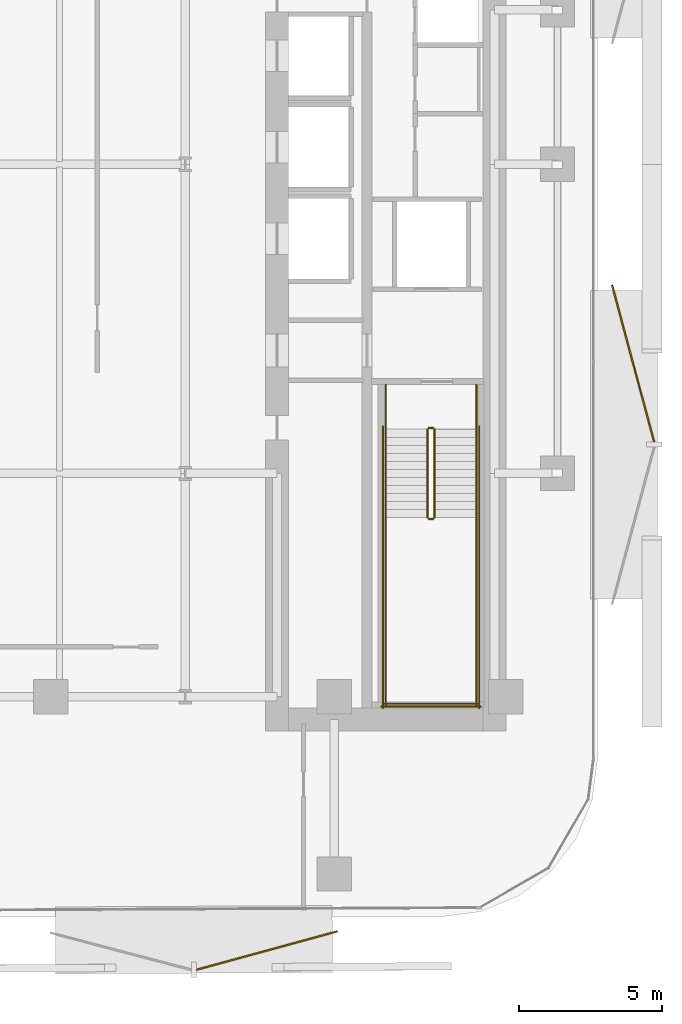
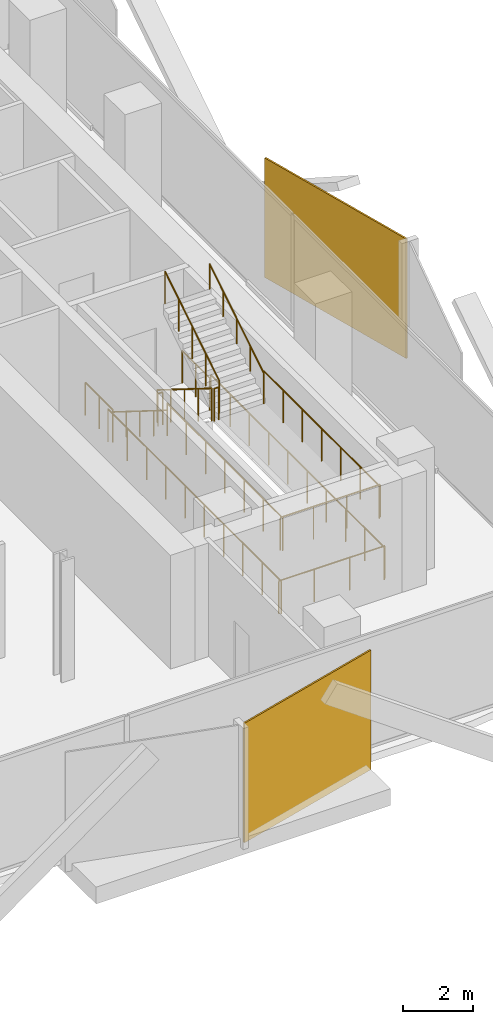
# One storey, part 13 of 15: 14 railings, 2 coverings.
"""IFC4 building model written with IfcOpenShell, lengths in metres."""

from ifc_helpers import new_model, si_unit, direction, frame, origin, origin_2d, place, context, subcontext, project, spatial, rectangle, circle, extrude, material, layer, layer_set, type_object, element, save


model = new_model("IFC4")

# Units and contexts
model_context = context("Model", 3, precision=1e-05, world=origin(), true_north=direction((0.0, 1.0)))
body_context = subcontext(model_context, "Body", "Model", "MODEL_VIEW")
ifc_project = project(units=[si_unit("LENGTHUNIT", "METRE"), si_unit("AREAUNIT", "SQUARE_METRE"), si_unit("VOLUMEUNIT", "CUBIC_METRE"), si_unit("PLANEANGLEUNIT", "RADIAN"), si_unit("MASSUNIT", "GRAM", prefix="KILO")], contexts=[model_context])

# Site, building, storey
site_placement = place(None, origin())
site = spatial("IfcSite", under=ifc_project, at=site_placement, CompositionType="ELEMENT")
building_placement = place(site_placement, origin())
building = spatial("IfcBuilding", under=site, at=building_placement, Name="Khairoan Windgate Tower", CompositionType="ELEMENT")
storey_placement = place(building_placement, frame((0.0, 0.0, 143.60009765625)))
storey = spatial("IfcBuildingStorey", under=building, at=storey_placement, Name="L33", CompositionType="ELEMENT", Elevation=143.60009765625)

# Coverings
ifc_material_1 = material(Name="Anodised Bronze Aluminium 6063-T6", Category="aluminium")
ifc_layer = layer(ifc_material_1, 0.054931640625, Name="Anodised Bronze Aluminium 6063-T6")
ifc_layer_set = layer_set([ifc_layer], Name="Anodised Bronze Aluminium 6063-T6")
covering_type = type_object("IfcCoveringType", Name="Perforated Bronze-Ceramic Folded Solar Screen Cladding BSC-1", PredefinedType="CLADDING", material=ifc_layer_set)
covering_1_placement = place(storey_placement, frame((12.05322265625, -27.472412109375, -0.10009765625), z_axis=(0.0, 0.0, 1.0), x_axis=(-0.964649468762, -0.263536339841, 0.0)))
element("IfcCovering", 1, at=covering_1_placement, inside=storey, type_object=covering_type, Name="L33 Folded Bronze Solar Screen Facet 209L", PredefinedType="CLADDING", context=body_context, shape_type="SweptSolid", body=[
    extrude(rectangle(XDim=5.10107421875, YDim=0.054931640625, at=origin_2d()), origin(), (0.0, 0.0, 1.0), 4.139892578125),
])
covering_2_placement = place(storey_placement, frame((24.8447265625, -6.961669921875, -0.10009765625), z_axis=(0.0, 0.0, 1.0), x_axis=(0.258819045103, -0.965925826289, 0.0)))
element("IfcCovering", 2, at=covering_2_placement, inside=storey, type_object=covering_type, Name="L33 Folded Bronze Solar Screen Facet 216L", PredefinedType="CLADDING", context=body_context, shape_type="SweptSolid", body=[
    extrude(rectangle(XDim=5.680908203125, YDim=0.054931640625, at=origin_2d()), origin(), (0.0, 0.0, 1.0), 4.139892578125),
])

# Railings
ifc_material_2 = material(Name="Anodised Bronze Aluminium 6063-T6", Category="aluminium")
railing_type_1 = type_object("IfcRailingType", Name="Stair Wall Handrail SHR-900", PredefinedType="HANDRAIL", material=ifc_material_2)
railing_1_placement = place(storey_placement, frame((16.199951171875, -9.260009765625, 0.1748046875)))
element("IfcRailing", 3, at=railing_1_placement, inside=storey, type_object=railing_type_1, Name="L33 ST1 stair handrail 1", PredefinedType="HANDRAIL", context=body_context, shape_type="SweptSolid", body=[
    extrude(circle(Radius=0.02392578125, at=origin_2d()), frame((0.0, 0.0, 0.8759765625), z_axis=(0.0, -0.847998304005, 0.529998940003), x_axis=(1.0, 0.0, 0.0)), (0.0, 0.0, 1.0), 3.632080078125),
    extrude(circle(Radius=0.02099609375, at=origin_2d()), origin(), (0.0, 0.0, 1.0), 0.851806640625),
    extrude(circle(Radius=0.02099609375, at=origin_2d()), frame((0.0, -0.77001953125, 0.481201171875)), (0.0, 0.0, 1.0), 0.851806640625),
    extrude(circle(Radius=0.02099609375, at=origin_2d()), frame((0.0, -1.5400390625, 0.96240234375)), (0.0, 0.0, 1.0), 0.851806640625),
    extrude(circle(Radius=0.02099609375, at=origin_2d()), frame((0.0, -2.31005859375, 1.44384765625)), (0.0, 0.0, 1.0), 0.851806640625),
    extrude(circle(Radius=0.02099609375, at=origin_2d()), frame((0.0, -3.080078125, 1.925048828125)), (0.0, 0.0, 1.0), 0.851806640625),
])
railing_2_placement = place(storey_placement, frame((19.3701171875, -12.340087890625, 2.27490234375)))
element("IfcRailing", 4, at=railing_2_placement, inside=storey, type_object=railing_type_1, Name="L33 ST1 stair handrail 2", PredefinedType="HANDRAIL", context=body_context, shape_type="SweptSolid", body=[
    extrude(circle(Radius=0.02392578125, at=origin_2d()), frame((0.0, 0.0, 0.8759765625), z_axis=(0.0, 0.847998304005, 0.529998940003), x_axis=(-1.0, 0.0, 0.0)), (0.0, 0.0, 1.0), 3.632080078125),
    extrude(circle(Radius=0.02099609375, at=origin_2d()), origin(), (0.0, 0.0, 1.0), 0.851806640625),
    extrude(circle(Radius=0.02099609375, at=origin_2d()), frame((0.0, 0.77001953125, 0.481201171875)), (0.0, 0.0, 1.0), 0.851806640625),
    extrude(circle(Radius=0.02099609375, at=origin_2d()), frame((0.0, 1.5400390625, 0.96240234375)), (0.0, 0.0, 1.0), 0.851806640625),
    extrude(circle(Radius=0.02099609375, at=origin_2d()), frame((0.0, 2.31005859375, 1.44384765625)), (0.0, 0.0, 1.0), 0.851806640625),
    extrude(circle(Radius=0.02099609375, at=origin_2d()), frame((0.0, 3.080078125, 1.925048828125)), (0.0, 0.0, 1.0), 0.851806640625),
])
ifc_material_3 = material(Name="Steel S355", Category="steel")
railing_type_2 = type_object("IfcRailingType", Name="Stairwell Safety Guardrail SGR-1150", PredefinedType="GUARDRAIL", material=ifc_material_3)
railing_3_placement = place(storey_placement, frame((17.659912109375, -9.260009765625, 0.1748046875)))
element("IfcRailing", 5, at=railing_3_placement, inside=storey, type_object=railing_type_2, Name="L33 ST1 stair guard 1", PredefinedType="GUARDRAIL", context=body_context, shape_type="SweptSolid", body=[
    extrude(circle(Radius=0.02392578125, at=origin_2d()), frame((0.0, 0.0, 1.1259765625), z_axis=(0.0, -0.847998304005, 0.529998940003), x_axis=(1.0, 0.0, 0.0)), (0.0, 0.0, 1.0), 3.632080078125),
    extrude(circle(Radius=0.02099609375, at=origin_2d()), origin(), (0.0, 0.0, 1.0), 1.101806640625),
    extrude(circle(Radius=0.02099609375, at=origin_2d()), frame((0.0, -0.77001953125, 0.481201171875)), (0.0, 0.0, 1.0), 1.101806640625),
    extrude(circle(Radius=0.02099609375, at=origin_2d()), frame((0.0, -1.5400390625, 0.96240234375)), (0.0, 0.0, 1.0), 1.101806640625),
    extrude(circle(Radius=0.02099609375, at=origin_2d()), frame((0.0, -2.31005859375, 1.44384765625)), (0.0, 0.0, 1.0), 1.101806640625),
    extrude(circle(Radius=0.02099609375, at=origin_2d()), frame((0.0, -3.080078125, 1.925048828125)), (0.0, 0.0, 1.0), 1.101806640625),
])
railing_4_placement = place(storey_placement, frame((17.7099609375, -12.389892578125, 2.099853515625)))
element("IfcRailing", 6, at=railing_4_placement, inside=storey, type_object=railing_type_2, Name="L33 ST1 stair guard 2", PredefinedType="GUARDRAIL", context=body_context, shape_type="SweptSolid", body=[
    extrude(circle(Radius=0.02392578125, at=origin_2d()), frame((0.0, 0.0, 1.1259765625), z_axis=(1.0, 0.0, 0.0), x_axis=(0.0, 1.0, 0.0)), (0.0, 0.0, 1.0), 0.150146484375),
    extrude(circle(Radius=0.02099609375, at=origin_2d()), origin(), (0.0, 0.0, 1.0), 1.101806640625),
    extrude(circle(Radius=0.02099609375, at=origin_2d()), frame((0.150146484375, 0.0, 0.0)), (0.0, 0.0, 1.0), 1.101806640625),
])
for number, where, name in (
    (7, (16.199951171875, -12.340087890625, 2.099853515625), "L33 ST1 stair guard 3"),
    (8, (19.3701171875, -12.340087890625, 2.099853515625), "L33 ST1 stair guard 4"),
):
    element("IfcRailing", number, at=place(storey_placement, frame(where)), inside=storey, type_object=railing_type_2, Name=name, PredefinedType="GUARDRAIL", context=body_context, shape_type="SweptSolid", body=[
        extrude(circle(Radius=0.02392578125, at=origin_2d()), frame((0.0, 0.0, 1.1259765625), z_axis=(0.0, -1.0, 0.0), x_axis=(1.0, 0.0, 0.0)), (0.0, 0.0, 1.0), 6.559814453125),
        extrude(circle(Radius=0.02099609375, at=origin_2d()), origin(), (0.0, 0.0, 1.0), 1.101806640625),
        extrude(circle(Radius=0.02099609375, at=origin_2d()), frame((0.0, -1.09326171875, 0.0)), (0.0, 0.0, 1.0), 1.101806640625),
        extrude(circle(Radius=0.02099609375, at=origin_2d()), frame((0.0, -2.1865234375, 0.0)), (0.0, 0.0, 1.0), 1.101806640625),
        extrude(circle(Radius=0.02099609375, at=origin_2d()), frame((0.0, -3.27978515625, 0.0)), (0.0, 0.0, 1.0), 1.101806640625),
        extrude(circle(Radius=0.02099609375, at=origin_2d()), frame((0.0, -4.373291015625, 0.0)), (0.0, 0.0, 1.0), 1.101806640625),
        extrude(circle(Radius=0.02099609375, at=origin_2d()), frame((0.0, -5.466552734375, 0.0)), (0.0, 0.0, 1.0), 1.101806640625),
        extrude(circle(Radius=0.02099609375, at=origin_2d()), frame((0.0, -6.559814453125, 0.0)), (0.0, 0.0, 1.0), 1.101806640625),
    ])
railing_5_placement = place(storey_placement, frame((16.14990234375, -18.85009765625, 2.099853515625)))
element("IfcRailing", 9, at=railing_5_placement, inside=storey, type_object=railing_type_2, Name="L33 ST1 stair guard 5", PredefinedType="GUARDRAIL", context=body_context, shape_type="SweptSolid", body=[
    extrude(circle(Radius=0.02392578125, at=origin_2d()), frame((0.0, 0.0, 1.1259765625), z_axis=(1.0, 0.0, 0.0), x_axis=(0.0, 1.0, 0.0)), (0.0, 0.0, 1.0), 3.27001953125),
    extrude(circle(Radius=0.02099609375, at=origin_2d()), origin(), (0.0, 0.0, 1.0), 1.101806640625),
    extrude(circle(Radius=0.02099609375, at=origin_2d()), frame((1.090087890625, 0.0, 0.0)), (0.0, 0.0, 1.0), 1.101806640625),
    extrude(circle(Radius=0.02099609375, at=origin_2d()), frame((2.179931640625, 0.0, 0.0)), (0.0, 0.0, 1.0), 1.101806640625),
    extrude(circle(Radius=0.02099609375, at=origin_2d()), frame((3.27001953125, 0.0, 0.0)), (0.0, 0.0, 1.0), 1.101806640625),
])
railing_6_placement = place(storey_placement, frame((17.909912109375, -12.340087890625, 2.27490234375)))
element("IfcRailing", 10, at=railing_6_placement, inside=storey, type_object=railing_type_2, Name="L33 ST1 stair guard 6", PredefinedType="GUARDRAIL", context=body_context, shape_type="SweptSolid", body=[
    extrude(circle(Radius=0.02392578125, at=origin_2d()), frame((0.0, 0.0, 1.1259765625), z_axis=(0.0, 0.847998304005, 0.529998940003), x_axis=(-1.0, 0.0, 0.0)), (0.0, 0.0, 1.0), 3.632080078125),
    extrude(circle(Radius=0.02099609375, at=origin_2d()), origin(), (0.0, 0.0, 1.0), 1.101806640625),
    extrude(circle(Radius=0.02099609375, at=origin_2d()), frame((0.0, 0.77001953125, 0.481201171875)), (0.0, 0.0, 1.0), 1.101806640625),
    extrude(circle(Radius=0.02099609375, at=origin_2d()), frame((0.0, 1.5400390625, 0.96240234375)), (0.0, 0.0, 1.0), 1.101806640625),
    extrude(circle(Radius=0.02099609375, at=origin_2d()), frame((0.0, 2.31005859375, 1.44384765625)), (0.0, 0.0, 1.0), 1.101806640625),
    extrude(circle(Radius=0.02099609375, at=origin_2d()), frame((0.0, 3.080078125, 1.925048828125)), (0.0, 0.0, 1.0), 1.101806640625),
])
railing_7_placement = place(storey_placement, frame((17.7099609375, -9.2099609375, 0.0)))
element("IfcRailing", 11, at=railing_7_placement, inside=storey, type_object=railing_type_2, Name="L33 ST1 stair guard 7", PredefinedType="GUARDRAIL", context=body_context, shape_type="SweptSolid", body=[
    extrude(circle(Radius=0.02392578125, at=origin_2d()), frame((0.0, 0.0, 1.1259765625), z_axis=(1.0, 0.0, 0.0), x_axis=(0.0, 1.0, 0.0)), (0.0, 0.0, 1.0), 0.150146484375),
    extrude(circle(Radius=0.02099609375, at=origin_2d()), origin(), (0.0, 0.0, 1.0), 1.101806640625),
    extrude(circle(Radius=0.02099609375, at=origin_2d()), frame((0.150146484375, 0.0, 0.0)), (0.0, 0.0, 1.0), 1.101806640625),
])
for number, where, name in (
    (12, (16.199951171875, -7.699951171875, 0.0), "L33 ST1 stair guard 8"),
    (13, (19.3701171875, -7.699951171875, 0.0), "L33 ST1 stair guard 9"),
):
    element("IfcRailing", number, at=place(storey_placement, frame(where)), inside=storey, type_object=railing_type_2, Name=name, PredefinedType="GUARDRAIL", context=body_context, shape_type="SweptSolid", body=[
        extrude(circle(Radius=0.02392578125, at=origin_2d()), frame((0.0, 0.0, 1.1259765625), z_axis=(0.0, -1.0, 0.0), x_axis=(1.0, 0.0, 0.0)), (0.0, 0.0, 1.0), 1.56005859375),
        extrude(circle(Radius=0.02099609375, at=origin_2d()), origin(), (0.0, 0.0, 1.0), 1.101806640625),
        extrude(circle(Radius=0.02099609375, at=origin_2d()), frame((0.0, -0.780029296875, 0.0)), (0.0, 0.0, 1.0), 1.101806640625),
        extrude(circle(Radius=0.02099609375, at=origin_2d()), frame((0.0, -1.56005859375, 0.0)), (0.0, 0.0, 1.0), 1.101806640625),
    ])
for number, where, name in (
    (14, (16.10009765625, -9.159912109375, 0.0), "L33 ST1 stair guard 10"),
    (15, (19.469970703125, -9.159912109375, 0.0), "L33 ST1 stair guard 11"),
):
    element("IfcRailing", number, at=place(storey_placement, frame(where)), inside=storey, type_object=railing_type_2, Name=name, PredefinedType="GUARDRAIL", context=body_context, shape_type="SweptSolid", body=[
        extrude(circle(Radius=0.02392578125, at=origin_2d()), frame((0.0, 0.0, 1.1259765625), z_axis=(0.0, -1.0, 0.0), x_axis=(1.0, 0.0, 0.0)), (0.0, 0.0, 1.0), 9.840087890625),
        extrude(circle(Radius=0.02099609375, at=origin_2d()), origin(), (0.0, 0.0, 1.0), 1.101806640625),
        extrude(circle(Radius=0.02099609375, at=origin_2d()), frame((0.0, -1.09326171875, 0.0)), (0.0, 0.0, 1.0), 1.101806640625),
        extrude(circle(Radius=0.02099609375, at=origin_2d()), frame((0.0, -2.186767578125, 0.0)), (0.0, 0.0, 1.0), 1.101806640625),
        extrude(circle(Radius=0.02099609375, at=origin_2d()), frame((0.0, -3.280029296875, 0.0)), (0.0, 0.0, 1.0), 1.101806640625),
        extrude(circle(Radius=0.02099609375, at=origin_2d()), frame((0.0, -4.373291015625, 0.0)), (0.0, 0.0, 1.0), 1.101806640625),
        extrude(circle(Radius=0.02099609375, at=origin_2d()), frame((0.0, -5.466796875, 0.0)), (0.0, 0.0, 1.0), 1.101806640625),
        extrude(circle(Radius=0.02099609375, at=origin_2d()), frame((0.0, -6.56005859375, 0.0)), (0.0, 0.0, 1.0), 1.101806640625),
        extrude(circle(Radius=0.02099609375, at=origin_2d()), frame((0.0, -7.6533203125, 0.0)), (0.0, 0.0, 1.0), 1.101806640625),
        extrude(circle(Radius=0.02099609375, at=origin_2d()), frame((0.0, -8.746826171875, 0.0)), (0.0, 0.0, 1.0), 1.101806640625),
        extrude(circle(Radius=0.02099609375, at=origin_2d()), frame((0.0, -9.840087890625, 0.0)), (0.0, 0.0, 1.0), 1.101806640625),
    ])
railing_8_placement = place(storey_placement, frame((16.050048828125, -18.949951171875, 0.0)))
element("IfcRailing", 16, at=railing_8_placement, inside=storey, type_object=railing_type_2, Name="L33 ST1 stair guard 12", PredefinedType="GUARDRAIL", context=body_context, shape_type="SweptSolid", body=[
    extrude(circle(Radius=0.02392578125, at=origin_2d()), frame((0.0, 0.0, 1.1259765625), z_axis=(1.0, 0.0, 0.0), x_axis=(0.0, 1.0, 0.0)), (0.0, 0.0, 1.0), 3.469970703125),
    extrude(circle(Radius=0.02099609375, at=origin_2d()), origin(), (0.0, 0.0, 1.0), 1.101806640625),
    extrude(circle(Radius=0.02099609375, at=origin_2d()), frame((1.15673828125, 0.0, 0.0)), (0.0, 0.0, 1.0), 1.101806640625),
    extrude(circle(Radius=0.02099609375, at=origin_2d()), frame((2.313232421875, 0.0, 0.0)), (0.0, 0.0, 1.0), 1.101806640625),
    extrude(circle(Radius=0.02099609375, at=origin_2d()), frame((3.469970703125, 0.0, 0.0)), (0.0, 0.0, 1.0), 1.101806640625),
])

save(model, "model.ifc")
